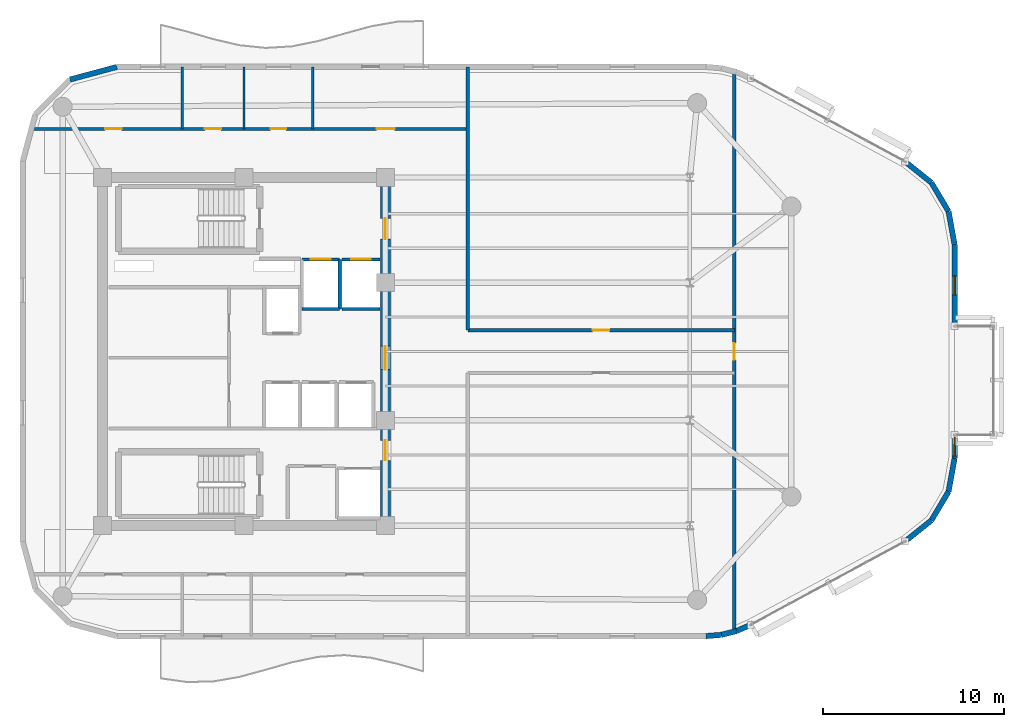
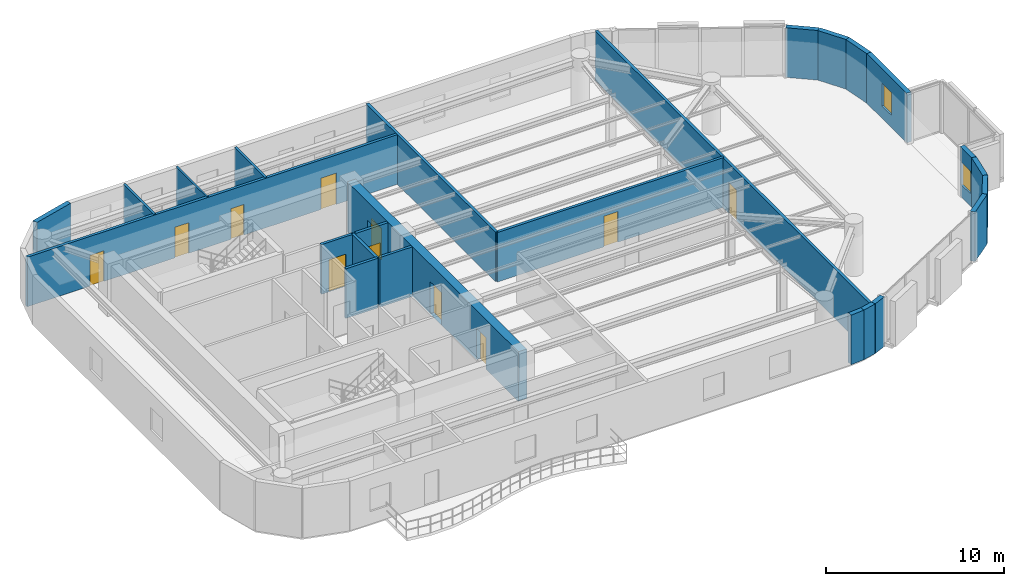
# One storey, part 11 of 14: 25 walls, 11 doors, 2 windows, 13 openings.
"""IFC4 building model written with IfcOpenShell, lengths in metres."""

from ifc_helpers import new_model, si_unit, direction, frame, frame_2d, origin, place, context, subcontext, project, spatial, rectangle, extrude, material, layer, layer_set, type_object, element, fill, save


model = new_model("IFC4")

# Units and contexts
model_context = context("Model", 3, precision=1e-05, world=origin(), true_north=direction((0.0, 1.0)))
body_context = subcontext(model_context, "Body", "Model", "MODEL_VIEW")
ifc_project = project(units=[si_unit("LENGTHUNIT", "METRE"), si_unit("AREAUNIT", "SQUARE_METRE"), si_unit("VOLUMEUNIT", "CUBIC_METRE"), si_unit("PLANEANGLEUNIT", "RADIAN"), si_unit("MASSUNIT", "GRAM", prefix="KILO")], contexts=[model_context])

# Site, building, storey
site_placement = place(None, origin())
site = spatial("IfcSite", under=ifc_project, at=site_placement, CompositionType="ELEMENT")
building_placement = place(site_placement, origin())
building = spatial("IfcBuilding", under=site, at=building_placement, Name="An Khanh Terracotta Commons", CompositionType="ELEMENT")
storey_placement = place(building_placement, frame((0.0, 0.0, 240.89990234375)))
storey = spatial("IfcBuildingStorey", under=building, at=storey_placement, Name="L63", CompositionType="ELEMENT", Elevation=240.89990234375)

# Wall, openings, doors
ifc_material_1 = material(Name="Concrete C50/60", Category="concrete")
ifc_layer_1 = layer(ifc_material_1, 0.550048828125, Name="Concrete C50/60")
ifc_layer_set_1 = layer_set([ifc_layer_1], Name="Concrete C50/60")
wall_type_1 = type_object("IfcWallType", Name="WALL-CORE-550", PredefinedType="SHEAR", material=ifc_layer_set_1)
wall_1_placement = place(storey_placement, frame((37.199951171875, 14.39990234375, 0.0), z_axis=(0.0, 0.0, 1.0), x_axis=(0.0, 1.0, 0.0)))
wall_1 = element("IfcWall", 1, at=wall_1_placement, inside=storey, type_object=wall_type_1, Name="L63 Core Wall CWALL-L63-E", PredefinedType="SHEAR", context=body_context, shape_type="SweptSolid", body=[
    extrude(rectangle(XDim=19.2001953125, YDim=0.550048828125, at=frame_2d((9.60009765625, 0.0))), origin(), (0.0, 0.0, 1.0), 3.400146484375),
])
opening_1_placement = place(wall_1_placement, frame((15.800048828125, 0.0, 0.0)))
opening_1 = element("IfcOpeningElement", 2, at=opening_1_placement, cuts=wall_1, Name="Opening D-FFL", PredefinedType="OPENING", context=body_context, shape_type="SweptSolid", body=[
    extrude(rectangle(XDim=1.14990234375, YDim=2.14990234375, at=frame_2d((0.574951171875, 1.074951171875))), frame((0.0, 0.284912109375, 0.0), z_axis=(0.0, -1.0, 0.0), x_axis=(1.0, 0.0, 0.0)), (0.0, 0.0, 1.0), 0.570068359375),
])
opening_2_placement = place(wall_1_placement, frame((3.60009765625, 0.0, 0.0)))
opening_2 = element("IfcOpeningElement", 3, at=opening_2_placement, cuts=wall_1, Name="Opening D-ST", PredefinedType="OPENING", context=body_context, shape_type="SweptSolid", body=[
    extrude(rectangle(XDim=1.10009765625, YDim=2.14990234375, at=frame_2d((0.550048828125, 1.074951171875))), frame((0.0, 0.284912109375, 0.0), z_axis=(0.0, -1.0, 0.0), x_axis=(1.0, 0.0, 0.0)), (0.0, 0.0, 1.0), 0.570068359375),
])
opening_3_placement = place(wall_1_placement, frame((8.60009765625, 0.0, 0.0)))
opening_3 = element("IfcOpeningElement", 4, at=opening_3_placement, cuts=wall_1, Name="Opening D-COR", PredefinedType="OPENING", context=body_context, shape_type="SweptSolid", body=[
    extrude(rectangle(XDim=1.300048828125, YDim=2.199951171875, at=frame_2d((0.64990234375, 1.10009765625))), frame((0.0, 0.284912109375, 0.0), z_axis=(0.0, -1.0, 0.0), x_axis=(1.0, 0.0, 0.0)), (0.0, 0.0, 1.0), 0.570068359375),
])
ifc_material_2 = material(Name="Fire-Rated Glazed Steel Double Door", Category="steel")
door_type_1 = type_object("IfcDoorType", Name="DOOR-CORR-1300", OperationType="NOTDEFINED", PredefinedType="DOOR", material=ifc_material_2)
door_1_placement = place(opening_3_placement, origin())
door_1 = element("IfcDoor", 5, at=door_1_placement, inside=storey, type_object=door_type_1, Name="L63 Passenger Lift Lobby Double Door", OperationType="DOUBLE_DOOR_SINGLE_SWING", OverallHeight=2.199951171875, OverallWidth=1.300048828125, PredefinedType="DOOR", context=body_context, shape_type="SweptSolid", body=[
    extrude(rectangle(XDim=1.300048828125, YDim=2.199951171875, at=frame_2d((0.64990234375, 1.10009765625))), frame((0.0, 0.02490234375, 0.0), z_axis=(0.0, -1.0, 0.0), x_axis=(1.0, 0.0, 0.0)), (0.0, 0.0, 1.0), 0.050048828125),
])
fill(opening_3, door_1)
ifc_material_3 = material(Name="Fire-Rated Steel Leaf and Vision Panel", Category="steel")
door_type_2 = type_object("IfcDoorType", Name="DOOR-FFL-1150", OperationType="NOTDEFINED", PredefinedType="DOOR", material=ifc_material_3)
door_2_placement = place(opening_1_placement, origin())
door_2 = element("IfcDoor", 6, at=door_2_placement, inside=storey, type_object=door_type_2, Name="L63 Firefighting Lift Lobby Fire Door", OperationType="SINGLE_SWING_LEFT", OverallHeight=2.14990234375, OverallWidth=1.14990234375, PredefinedType="DOOR", context=body_context, shape_type="SweptSolid", body=[
    extrude(rectangle(XDim=1.14990234375, YDim=2.14990234375, at=frame_2d((0.574951171875, 1.074951171875))), frame((0.0, 0.02490234375, 0.0), z_axis=(0.0, -1.0, 0.0), x_axis=(1.0, 0.0, 0.0)), (0.0, 0.0, 1.0), 0.050048828125),
])
fill(opening_1, door_2)
ifc_material_4 = material(Name="Fire-Rated Steel Leaf and Frame", Category="steel")
door_type_3 = type_object("IfcDoorType", Name="DOOR-STAIR-1100", OperationType="NOTDEFINED", PredefinedType="DOOR", material=ifc_material_4)
door_3_placement = place(opening_2_placement, origin())
door_3 = element("IfcDoor", 7, at=door_3_placement, inside=storey, type_object=door_type_3, Name="L63 South Stair Lobby Fire Door", OperationType="SINGLE_SWING_RIGHT", OverallHeight=2.14990234375, OverallWidth=1.10009765625, PredefinedType="DOOR", context=body_context, shape_type="SweptSolid", body=[
    extrude(rectangle(XDim=1.10009765625, YDim=2.14990234375, at=frame_2d((0.550048828125, 1.074951171875))), frame((0.0, 0.02490234375, 0.0), z_axis=(0.0, -1.0, 0.0), x_axis=(1.0, 0.0, 0.0)), (0.0, 0.0, 1.0), 0.050048828125),
])
fill(opening_2, door_3)

# Wall, opening, door
ifc_material_5 = material(Name="Fire-Rated Gypsum Board on Steel Stud", Category="steel")
ifc_layer_2 = layer(ifc_material_5, 0.179931640625, Name="Fire-Rated Gypsum Board on Steel Stud")
ifc_layer_set_2 = layer_set([ifc_layer_2], Name="Fire-Rated Gypsum Board on Steel Stud")
wall_type_2 = type_object("IfcWallType", Name="WALL-CORR-180", PredefinedType="PARTITIONING", material=ifc_layer_set_2)
wall_2_placement = place(storey_placement, frame((32.60009765625, 29.080078125, 0.0), z_axis=(0.0, 0.0, 1.0), x_axis=(1.0, 0.0, 0.0)))
wall_2 = element("IfcWall", 8, at=wall_2_placement, inside=storey, type_object=wall_type_2, Name="L63 Core Wall LSH-L63-FFL-01-N", PredefinedType="PARTITIONING", context=body_context, shape_type="SweptSolid", body=[
    extrude(rectangle(XDim=2.079833984375, YDim=0.179931640625, at=frame_2d((1.0400390625, 0.0))), origin(), (0.0, 0.0, 1.0), 3.400146484375),
])
opening_4_placement = place(wall_2_placement, frame((0.489990234375, 0.0, 0.0)))
opening_4 = element("IfcOpeningElement", 9, at=opening_4_placement, cuts=wall_2, Name="Opening LD-FFL-01-L63", PredefinedType="OPENING", context=body_context, shape_type="SweptSolid", body=[
    extrude(rectangle(XDim=1.10009765625, YDim=2.199951171875, at=frame_2d((0.550048828125, 1.10009765625))), frame((0.0, 0.099853515625, 0.0), z_axis=(0.0, -1.0, 0.0), x_axis=(1.0, 0.0, 0.0)), (0.0, 0.0, 1.0), 0.199951171875),
])
ifc_material_6 = material(Name="Brushed Stainless Steel Fire Landing Door", Category="steel")
door_type_4 = type_object("IfcDoorType", Name="DOOR-LD-FFL-1100", OperationType="NOTDEFINED", PredefinedType="DOOR", material=ifc_material_6)
door_4_placement = place(opening_4_placement, origin())
door_4 = element("IfcDoor", 10, at=door_4_placement, inside=storey, type_object=door_type_4, Name="L63 Lift FFL-01 Sliding Landing Door", OperationType="DOUBLE_DOOR_SLIDING", OverallHeight=2.199951171875, OverallWidth=1.10009765625, PredefinedType="DOOR", context=body_context, shape_type="SweptSolid", body=[
    extrude(rectangle(XDim=1.10009765625, YDim=2.199951171875, at=frame_2d((0.550048828125, 1.10009765625))), frame((0.0, 0.02490234375, 0.0), z_axis=(0.0, -1.0, 0.0), x_axis=(1.0, 0.0, 0.0)), (0.0, 0.0, 1.0), 0.050048828125),
])
fill(opening_4, door_4)

# Walls
wall_3_placement = place(storey_placement, frame((34.679931640625, 26.35009765625, 0.0), z_axis=(0.0, 0.0, 1.0), x_axis=(-1.0, 0.0, 0.0)))
element("IfcWall", 11, at=wall_3_placement, inside=storey, type_object=wall_type_2, Name="L63 Core Wall LSH-L63-FFL-01-S", PredefinedType="PARTITIONING", context=body_context, shape_type="SweptSolid", body=[
    extrude(rectangle(XDim=2.079833984375, YDim=0.179931640625, at=frame_2d((1.0400390625, 0.0))), origin(), (0.0, 0.0, 1.0), 3.400146484375),
])
wall_4_placement = place(storey_placement, frame((34.679931640625, 26.35009765625, 0.0), z_axis=(0.0, 0.0, 1.0), x_axis=(0.0, 1.0, 0.0)))
element("IfcWall", 12, at=wall_4_placement, inside=storey, type_object=wall_type_2, Name="L63 Core Wall LSH-L63-FFL-01-E", PredefinedType="PARTITIONING", context=body_context, shape_type="SweptSolid", body=[
    extrude(rectangle(XDim=2.72998046875, YDim=0.179931640625, at=frame_2d((1.364990234375, 0.0))), origin(), (0.0, 0.0, 1.0), 3.400146484375),
])

# Wall, opening, door
wall_5_placement = place(storey_placement, frame((34.820068359375, 29.080078125, 0.0), z_axis=(0.0, 0.0, 1.0), x_axis=(1.0, 0.0, 0.0)))
wall_5 = element("IfcWall", 13, at=wall_5_placement, inside=storey, type_object=wall_type_2, Name="L63 Core Wall LSH-L63-FFL-02-N", PredefinedType="PARTITIONING", context=body_context, shape_type="SweptSolid", body=[
    extrude(rectangle(XDim=2.079833984375, YDim=0.179931640625, at=frame_2d((1.0400390625, 0.0))), origin(), (0.0, 0.0, 1.0), 3.400146484375),
])
opening_5_placement = place(wall_5_placement, frame((0.489990234375, 0.0, 0.0)))
opening_5 = element("IfcOpeningElement", 14, at=opening_5_placement, cuts=wall_5, Name="Opening LD-FFL-02-L63", PredefinedType="OPENING", context=body_context, shape_type="SweptSolid", body=[
    extrude(rectangle(XDim=1.10009765625, YDim=2.199951171875, at=frame_2d((0.550048828125, 1.10009765625))), frame((0.0, 0.099853515625, 0.0), z_axis=(0.0, -1.0, 0.0), x_axis=(1.0, 0.0, 0.0)), (0.0, 0.0, 1.0), 0.199951171875),
])
door_5_placement = place(opening_5_placement, origin())
door_5 = element("IfcDoor", 15, at=door_5_placement, inside=storey, type_object=door_type_4, Name="L63 Lift FFL-02 Sliding Landing Door", OperationType="DOUBLE_DOOR_SLIDING", OverallHeight=2.199951171875, OverallWidth=1.10009765625, PredefinedType="DOOR", context=body_context, shape_type="SweptSolid", body=[
    extrude(rectangle(XDim=1.10009765625, YDim=2.199951171875, at=frame_2d((0.550048828125, 1.10009765625))), frame((0.0, 0.02490234375, 0.0), z_axis=(0.0, -1.0, 0.0), x_axis=(1.0, 0.0, 0.0)), (0.0, 0.0, 1.0), 0.050048828125),
])
fill(opening_5, door_5)

# Wall
wall_6_placement = place(storey_placement, frame((36.89990234375, 26.35009765625, 0.0), z_axis=(0.0, 0.0, 1.0), x_axis=(-1.0, 0.0, 0.0)))
element("IfcWall", 16, at=wall_6_placement, inside=storey, type_object=wall_type_2, Name="L63 Core Wall LSH-L63-FFL-02-S", PredefinedType="PARTITIONING", context=body_context, shape_type="SweptSolid", body=[
    extrude(rectangle(XDim=2.079833984375, YDim=0.179931640625, at=frame_2d((1.0400390625, 0.0))), origin(), (0.0, 0.0, 1.0), 3.400146484375),
])

# Wall, opening, door
wall_7_placement = place(storey_placement, frame((41.75, 25.179931640625, 0.0), z_axis=(0.0, 0.0, 1.0), x_axis=(1.0, 0.0, 0.0)))
wall_7 = element("IfcWall", 17, at=wall_7_placement, inside=storey, type_object=wall_type_2, Name="L63 Interior Partition IW-L63-E003", PredefinedType="PARTITIONING", context=body_context, shape_type="SweptSolid", body=[
    extrude(rectangle(XDim=14.699951171875, YDim=0.179931640625, at=frame_2d((7.35009765625, 0.0))), origin(), (0.0, 0.0, 1.0), 3.400146484375),
])
opening_6_placement = place(wall_7_placement, frame((6.889892578125, 0.0, 0.0)))
opening_6 = element("IfcOpeningElement", 18, at=opening_6_placement, cuts=wall_7, Name="Opening D-RM", PredefinedType="OPENING", context=body_context, shape_type="SweptSolid", body=[
    extrude(rectangle(XDim=0.919921875, YDim=2.10009765625, at=frame_2d((0.4599609375, 1.050048828125))), frame((0.0, 0.099853515625, 0.0), z_axis=(0.0, -1.0, 0.0), x_axis=(1.0, 0.0, 0.0)), (0.0, 0.0, 1.0), 0.199951171875),
])
ifc_material_7 = material(Name="Engineered Hardwood Timber Leaf", Category="wood")
door_type_5 = type_object("IfcDoorType", Name="DOOR-INT-920", OperationType="NOTDEFINED", PredefinedType="DOOR", material=ifc_material_7)
door_6_placement = place(opening_6_placement, origin())
door_6 = element("IfcDoor", 19, at=door_6_placement, inside=storey, type_object=door_type_5, Name="L63 SPN1 Collaborative Study Lounge Door", OperationType="SINGLE_SWING_LEFT", OverallHeight=2.10009765625, OverallWidth=0.919921875, PredefinedType="DOOR", context=body_context, shape_type="SweptSolid", body=[
    extrude(rectangle(XDim=0.919921875, YDim=2.10009765625, at=frame_2d((0.4599609375, 1.050048828125))), frame((0.0, 0.02490234375, 0.0), z_axis=(0.0, -1.0, 0.0), x_axis=(1.0, 0.0, 0.0)), (0.0, 0.0, 1.0), 0.050048828125),
])
fill(opening_6, door_6)

# Wall, openings, doors
wall_8_placement = place(storey_placement, frame((17.677001953125, 36.280029296875, 0.0), z_axis=(0.0, 0.0, 1.0), x_axis=(1.0, 0.0, 0.0)))
wall_8 = element("IfcWall", 20, at=wall_8_placement, inside=storey, type_object=wall_type_2, Name="L63 Interior Partition IW-L63-E004", PredefinedType="PARTITIONING", context=body_context, shape_type="SweptSolid", body=[
    extrude(rectangle(XDim=24.072998046875, YDim=0.179931640625, at=frame_2d((12.03662109375, 0.0))), origin(), (0.0, 0.0, 1.0), 3.400146484375),
])
opening_7_placement = place(wall_8_placement, frame((9.572998046875, 0.0, 0.0)))
opening_7 = element("IfcOpeningElement", 21, at=opening_7_placement, cuts=wall_8, Name="Opening D-WC", PredefinedType="OPENING", context=body_context, shape_type="SweptSolid", body=[
    extrude(rectangle(XDim=0.89990234375, YDim=2.10009765625, at=frame_2d((0.449951171875, 1.050048828125))), frame((0.0, 0.099853515625, 0.0), z_axis=(0.0, -1.0, 0.0), x_axis=(1.0, 0.0, 0.0)), (0.0, 0.0, 1.0), 0.199951171875),
])
opening_8_placement = place(wall_8_placement, frame((13.193115234375, 0.0, 0.0)))
opening_8 = element("IfcOpeningElement", 22, at=opening_8_placement, cuts=wall_8, Name="Opening D-ENS", PredefinedType="OPENING", context=body_context, shape_type="SweptSolid", body=[
    extrude(rectangle(XDim=0.860107421875, YDim=2.10009765625, at=frame_2d((0.43017578125, 1.050048828125))), frame((0.0, 0.099853515625, 0.0), z_axis=(0.0, -1.0, 0.0), x_axis=(1.0, 0.0, 0.0)), (0.0, 0.0, 1.0), 0.199951171875),
])
opening_9_placement = place(wall_8_placement, frame((4.06298828125, 0.0, 0.0)))
opening_9 = element("IfcOpeningElement", 23, at=opening_9_placement, cuts=wall_8, Name="Opening D-RM", PredefinedType="OPENING", context=body_context, shape_type="SweptSolid", body=[
    extrude(rectangle(XDim=0.919921875, YDim=2.10009765625, at=frame_2d((0.4599609375, 1.050048828125))), frame((0.0, 0.099853515625, 0.0), z_axis=(0.0, -1.0, 0.0), x_axis=(1.0, 0.0, 0.0)), (0.0, 0.0, 1.0), 0.199951171875),
])
opening_10_placement = place(wall_8_placement, frame((19.0380859375, 0.0, 0.0)))
opening_10 = element("IfcOpeningElement", 24, at=opening_10_placement, cuts=wall_8, Name="Opening D-UN", PredefinedType="OPENING", context=body_context, shape_type="SweptSolid", body=[
    extrude(rectangle(XDim=1.0, YDim=2.14990234375, at=frame_2d((0.5, 1.074951171875))), frame((0.0, 0.099853515625, 0.0), z_axis=(0.0, -1.0, 0.0), x_axis=(1.0, 0.0, 0.0)), (0.0, 0.0, 1.0), 0.199951171875),
])
ifc_material_8 = material(Name="Moisture-Resistant Hardwood Timber Leaf", Category="wood")
door_type_6 = type_object("IfcDoorType", Name="DOOR-BATH-860", OperationType="NOTDEFINED", PredefinedType="DOOR", material=ifc_material_8)
door_7_placement = place(opening_8_placement, origin())
door_7 = element("IfcDoor", 25, at=door_7_placement, inside=storey, type_object=door_type_6, Name="L63 SHW Resident Shared Shower and Washroom Door", OperationType="SINGLE_SWING_LEFT", OverallHeight=2.10009765625, OverallWidth=0.860107421875, PredefinedType="DOOR", context=body_context, shape_type="SweptSolid", body=[
    extrude(rectangle(XDim=0.860107421875, YDim=2.10009765625, at=frame_2d((0.43017578125, 1.050048828125))), frame((0.0, 0.02490234375, 0.0), z_axis=(0.0, -1.0, 0.0), x_axis=(1.0, 0.0, 0.0)), (0.0, 0.0, 1.0), 0.050048828125),
])
fill(opening_8, door_7)
door_8_placement = place(opening_9_placement, origin())
door_8 = element("IfcDoor", 26, at=door_8_placement, inside=storey, type_object=door_type_5, Name="L63 NW1 Student Reading Library Door", OperationType="SINGLE_SWING_RIGHT", OverallHeight=2.10009765625, OverallWidth=0.919921875, PredefinedType="DOOR", context=body_context, shape_type="SweptSolid", body=[
    extrude(rectangle(XDim=0.919921875, YDim=2.10009765625, at=frame_2d((0.4599609375, 1.050048828125))), frame((0.0, 0.02490234375, 0.0), z_axis=(0.0, -1.0, 0.0), x_axis=(1.0, 0.0, 0.0)), (0.0, 0.0, 1.0), 0.050048828125),
])
fill(opening_9, door_8)
ifc_material_9 = material(Name="Solid-Core Hardwood Acoustic Fire Door", Category="wood")
door_type_7 = type_object("IfcDoorType", Name="DOOR-UNIT-1000", OperationType="NOTDEFINED", PredefinedType="DOOR", material=ifc_material_9)
door_9_placement = place(opening_10_placement, origin())
door_9 = element("IfcDoor", 27, at=door_9_placement, inside=storey, type_object=door_type_7, Name="L63 NWE Yoga Wellness Studio Door", OperationType="SINGLE_SWING_LEFT", OverallHeight=2.14990234375, OverallWidth=1.0, PredefinedType="DOOR", context=body_context, shape_type="SweptSolid", body=[
    extrude(rectangle(XDim=1.0, YDim=2.14990234375, at=frame_2d((0.5, 1.074951171875))), frame((0.0, 0.02490234375, 0.0), z_axis=(0.0, -1.0, 0.0), x_axis=(1.0, 0.0, 0.0)), (0.0, 0.0, 1.0), 0.050048828125),
])
fill(opening_10, door_9)
ifc_material_10 = material(Name="Laminate Moisture-Resistant Timber Leaf", Category="wood")
door_type_8 = type_object("IfcDoorType", Name="DOOR-WC-900", OperationType="NOTDEFINED", PredefinedType="DOOR", material=ifc_material_10)
door_10_placement = place(opening_7_placement, origin())
door_10 = element("IfcDoor", 28, at=door_10_placement, inside=storey, type_object=door_type_8, Name="L63 AWC Accessible WC Door", OperationType="SINGLE_SWING_RIGHT", OverallHeight=2.10009765625, OverallWidth=0.89990234375, PredefinedType="DOOR", context=body_context, shape_type="SweptSolid", body=[
    extrude(rectangle(XDim=0.89990234375, YDim=2.10009765625, at=frame_2d((0.449951171875, 1.050048828125))), frame((0.0, 0.02490234375, 0.0), z_axis=(0.0, -1.0, 0.0), x_axis=(1.0, 0.0, 0.0)), (0.0, 0.0, 1.0), 0.050048828125),
])
fill(opening_7, door_10)

# Wall
wall_9_placement = place(storey_placement, frame((41.75, 25.179931640625, 0.0), z_axis=(0.0, 0.0, 1.0), x_axis=(0.0, 1.0, 0.0)))
element("IfcWall", 29, at=wall_9_placement, inside=storey, type_object=wall_type_2, Name="L63 Interior Partition IW-L63-E011", PredefinedType="PARTITIONING", context=body_context, shape_type="SweptSolid", body=[
    extrude(rectangle(XDim=14.52001953125, YDim=0.179931640625, at=frame_2d((7.260009765625, 0.0))), origin(), (0.0, 0.0, 1.0), 3.400146484375),
])

# Wall, opening, door
wall_10_placement = place(storey_placement, frame((56.449951171875, 8.550048828125, 0.0), z_axis=(0.0, 0.0, 1.0), x_axis=(0.0, 1.0, 0.0)))
wall_10 = element("IfcWall", 30, at=wall_10_placement, inside=storey, type_object=wall_type_2, Name="L63 Interior Partition IW-L63-E012", PredefinedType="PARTITIONING", context=body_context, shape_type="SweptSolid", body=[
    extrude(rectangle(XDim=30.89990234375, YDim=0.179931640625, at=frame_2d((15.449951171875, 0.0))), origin(), (0.0, 0.0, 1.0), 3.400146484375),
])
opening_11_placement = place(wall_10_placement, frame((14.989990234375, 0.0, 0.0)))
opening_11 = element("IfcOpeningElement", 31, at=opening_11_placement, cuts=wall_10, Name="Opening D-RM", PredefinedType="OPENING", context=body_context, shape_type="SweptSolid", body=[
    extrude(rectangle(XDim=0.919921875, YDim=2.10009765625, at=frame_2d((0.4599609375, 1.050048828125))), frame((0.0, 0.099853515625, 0.0), z_axis=(0.0, -1.0, 0.0), x_axis=(1.0, 0.0, 0.0)), (0.0, 0.0, 1.0), 0.199951171875),
])
door_11_placement = place(opening_11_placement, origin())
door_11 = element("IfcDoor", 32, at=door_11_placement, inside=storey, type_object=door_type_5, Name="L63 GHALL Riverfront Reference Library Door", OperationType="SINGLE_SWING_LEFT", OverallHeight=2.10009765625, OverallWidth=0.919921875, PredefinedType="DOOR", context=body_context, shape_type="SweptSolid", body=[
    extrude(rectangle(XDim=0.919921875, YDim=2.10009765625, at=frame_2d((0.4599609375, 1.050048828125))), frame((0.0, 0.02490234375, 0.0), z_axis=(0.0, -1.0, 0.0), x_axis=(1.0, 0.0, 0.0)), (0.0, 0.0, 1.0), 0.050048828125),
])
fill(opening_11, door_11)

# Walls
ifc_material_11 = material(Name="Precast concrete C40/50", Category="concrete")
ifc_layer_3 = layer(ifc_material_11, 0.300048828125, Name="Precast concrete C40/50")
ifc_layer_set_3 = layer_set([ifc_layer_3], Name="Precast concrete C40/50")
wall_type_3 = type_object("IfcWallType", Name="WALL-EXT-300", PredefinedType="SOLIDWALL", material=ifc_layer_set_3)
wall_11_placement = place(storey_placement, frame((54.885009765625, 8.300048828125, 0.0), z_axis=(0.0, 0.0, 1.0), x_axis=(0.996565355958, 0.082809971041, 0.0)))
element("IfcWall", 33, at=wall_11_placement, inside=storey, type_object=wall_type_3, Name="L63 Insulated Terracotta Exterior Wall 5", PredefinedType="SOLIDWALL", context=body_context, shape_type="SweptSolid", body=[
    extrude(rectangle(XDim=0.85791015625, YDim=0.300048828125, at=frame_2d((0.428955078125, 0.0))), origin(), (0.0, 0.0, 1.0), 3.400146484375),
])
wall_12_placement = place(storey_placement, frame((55.739990234375, 8.37109375, 0.0), z_axis=(0.0, 0.0, 1.0), x_axis=(0.969536346338, 0.244947490555, 0.0)))
element("IfcWall", 34, at=wall_12_placement, inside=storey, type_object=wall_type_3, Name="L63 Insulated Terracotta Exterior Wall 6", PredefinedType="SOLIDWALL", context=body_context, shape_type="SweptSolid", body=[
    extrude(rectangle(XDim=0.857177734375, YDim=0.300048828125, at=frame_2d((0.4287109375, 0.0))), origin(), (0.0, 0.0, 1.0), 3.400146484375),
])
wall_13_placement = place(storey_placement, frame((56.571044921875, 8.5810546875, 0.0), z_axis=(0.0, 0.0, 1.0), x_axis=(0.916085473636, 0.400983048261, 0.0)))
element("IfcWall", 35, at=wall_13_placement, inside=storey, type_object=wall_type_3, Name="L63 Insulated Terracotta Exterior Wall 7", PredefinedType="SOLIDWALL", context=body_context, shape_type="SweptSolid", body=[
    extrude(rectangle(XDim=0.85791015625, YDim=0.300048828125, at=frame_2d((0.428955078125, 0.0))), origin(), (0.0, 0.0, 1.0), 3.400146484375),
])
wall_14_placement = place(storey_placement, frame((65.8720703125, 13.52587890625, 0.0), z_axis=(0.0, 0.0, 1.0), x_axis=(0.780920189257, 0.624630817372, 0.0)))
element("IfcWall", 36, at=wall_14_placement, inside=storey, type_object=wall_type_3, Name="L63 Insulated Terracotta Exterior Wall 9", PredefinedType="SOLIDWALL", context=body_context, shape_type="SweptSolid", body=[
    extrude(rectangle(XDim=1.854248046875, YDim=0.300048828125, at=frame_2d((0.92724609375, 0.0))), origin(), (0.0, 0.0, 1.0), 3.400146484375),
])
wall_15_placement = place(storey_placement, frame((67.320068359375, 14.68408203125, 0.0), z_axis=(0.0, 0.0, 1.0), x_axis=(0.512072018927, 0.858942516955, 0.0)))
element("IfcWall", 37, at=wall_15_placement, inside=storey, type_object=wall_type_3, Name="L63 Insulated Terracotta Exterior Wall 10", PredefinedType="SOLIDWALL", context=body_context, shape_type="SweptSolid", body=[
    extrude(rectangle(XDim=1.853271484375, YDim=0.300048828125, at=frame_2d((0.9267578125, 0.0))), origin(), (0.0, 0.0, 1.0), 3.400146484375),
])
wall_16_placement = place(storey_placement, frame((68.26904296875, 16.27587890625, 0.0), z_axis=(0.0, 0.0, 1.0), x_axis=(0.178468469252, 0.983945631365, 0.0)))
element("IfcWall", 38, at=wall_16_placement, inside=storey, type_object=wall_type_3, Name="L63 Insulated Terracotta Exterior Wall 11", PredefinedType="SOLIDWALL", context=body_context, shape_type="SweptSolid", body=[
    extrude(rectangle(XDim=1.85498046875, YDim=0.300048828125, at=frame_2d((0.927490234375, 0.0))), origin(), (0.0, 0.0, 1.0), 3.400146484375),
])

# Wall, opening, window
wall_17_placement = place(storey_placement, frame((68.60009765625, 18.10107421875, 0.0), z_axis=(0.0, 0.0, 1.0), x_axis=(0.0, 1.0, 0.0)))
wall_17 = element("IfcWall", 39, at=wall_17_placement, inside=storey, type_object=wall_type_3, Name="L63 East Nose Wall South", PredefinedType="SOLIDWALL", context=body_context, shape_type="SweptSolid", body=[
    extrude(rectangle(XDim=1.298828125, YDim=0.300048828125, at=frame_2d((0.6494140625, 0.0))), origin(), (0.0, 0.0, 1.0), 3.400146484375),
])
opening_12_placement = place(wall_17_placement, frame((0.1240234375, 0.0, 0.85009765625)))
opening_12 = element("IfcOpeningElement", 40, at=opening_12_placement, cuts=wall_17, Name="Opening W-06", PredefinedType="OPENING", context=body_context, shape_type="SweptSolid", body=[
    extrude(rectangle(XDim=1.050048828125, YDim=1.550048828125, at=frame_2d((0.52490234375, 0.77490234375))), frame((0.0, 0.159912109375, 0.0), z_axis=(0.0, -1.0, 0.0), x_axis=(1.0, 0.0, 0.0)), (0.0, 0.0, 1.0), 0.320068359375),
])
ifc_material_12 = material(Name="Thermally Broken Aluminium and Low-E Glass", Category="aluminium")
window_type = type_object("IfcWindowType", Name="WIN-COR-1050x1550", PartitioningType="SINGLE_PANEL", PredefinedType="WINDOW", material=ifc_material_12)
window_1_placement = place(opening_12_placement, origin())
window_1 = element("IfcWindow", 41, at=window_1_placement, inside=storey, type_object=window_type, Name="L63 East Nose South Casement Window", OverallHeight=1.550048828125, OverallWidth=1.050048828125, PartitioningType="SINGLE_PANEL", PredefinedType="WINDOW", context=body_context, shape_type="SweptSolid", body=[
    extrude(rectangle(XDim=1.050048828125, YDim=1.550048828125, at=frame_2d((0.52490234375, 0.77490234375))), frame((0.0, 0.030029296875, 0.0), z_axis=(0.0, -1.0, 0.0), x_axis=(1.0, 0.0, 0.0)), (0.0, 0.0, 1.0), 0.06005859375),
])
fill(opening_12, window_1)

wall_18_placement = place(storey_placement, frame((68.60009765625, 25.39990234375, 0.0), z_axis=(0.0, 0.0, 1.0), x_axis=(0.0, 1.0, 0.0)))
wall_18 = element("IfcWall", 42, at=wall_18_placement, inside=storey, type_object=wall_type_3, Name="L63 East Nose Wall North", PredefinedType="SOLIDWALL", context=body_context, shape_type="SweptSolid", body=[
    extrude(rectangle(XDim=4.4990234375, YDim=0.300048828125, at=frame_2d((2.24951171875, 0.0))), origin(), (0.0, 0.0, 1.0), 3.400146484375),
])
opening_13_placement = place(wall_18_placement, frame((1.72509765625, 0.0, 0.85009765625)))
opening_13 = element("IfcOpeningElement", 43, at=opening_13_placement, cuts=wall_18, Name="Opening W-06", PredefinedType="OPENING", context=body_context, shape_type="SweptSolid", body=[
    extrude(rectangle(XDim=1.050048828125, YDim=1.550048828125, at=frame_2d((0.52490234375, 0.77490234375))), frame((0.0, 0.159912109375, 0.0), z_axis=(0.0, -1.0, 0.0), x_axis=(1.0, 0.0, 0.0)), (0.0, 0.0, 1.0), 0.320068359375),
])
window_2_placement = place(opening_13_placement, origin())
window_2 = element("IfcWindow", 44, at=window_2_placement, inside=storey, type_object=window_type, Name="L63 East Nose North Casement Window", OverallHeight=1.550048828125, OverallWidth=1.050048828125, PartitioningType="SINGLE_PANEL", PredefinedType="WINDOW", context=body_context, shape_type="SweptSolid", body=[
    extrude(rectangle(XDim=1.050048828125, YDim=1.550048828125, at=frame_2d((0.52490234375, 0.77490234375))), frame((0.0, 0.030029296875, 0.0), z_axis=(0.0, -1.0, 0.0), x_axis=(1.0, 0.0, 0.0)), (0.0, 0.0, 1.0), 0.06005859375),
])
fill(opening_13, window_2)

# Walls
wall_19_placement = place(storey_placement, frame((68.60009765625, 29.89892578125, 0.0), z_axis=(0.0, 0.0, 1.0), x_axis=(-0.178468469252, 0.983945631365, 0.0)))
element("IfcWall", 45, at=wall_19_placement, inside=storey, type_object=wall_type_3, Name="L63 Insulated Terracotta Exterior Wall 13", PredefinedType="SOLIDWALL", context=body_context, shape_type="SweptSolid", body=[
    extrude(rectangle(XDim=1.85498046875, YDim=0.300048828125, at=frame_2d((0.927490234375, 0.0))), origin(), (0.0, 0.0, 1.0), 3.400146484375),
])
wall_20_placement = place(storey_placement, frame((68.26904296875, 31.72412109375, 0.0), z_axis=(0.0, 0.0, 1.0), x_axis=(-0.512072018927, 0.858942516955, 0.0)))
element("IfcWall", 46, at=wall_20_placement, inside=storey, type_object=wall_type_3, Name="L63 Insulated Terracotta Exterior Wall 14", PredefinedType="SOLIDWALL", context=body_context, shape_type="SweptSolid", body=[
    extrude(rectangle(XDim=1.853271484375, YDim=0.300048828125, at=frame_2d((0.9267578125, 0.0))), origin(), (0.0, 0.0, 1.0), 3.400146484375),
])
wall_21_placement = place(storey_placement, frame((67.320068359375, 33.31591796875, 0.0), z_axis=(0.0, 0.0, 1.0), x_axis=(-0.780920189257, 0.624630817372, 0.0)))
element("IfcWall", 47, at=wall_21_placement, inside=storey, type_object=wall_type_3, Name="L63 Insulated Terracotta Exterior Wall 15", PredefinedType="SOLIDWALL", context=body_context, shape_type="SweptSolid", body=[
    extrude(rectangle(XDim=1.854248046875, YDim=0.300048828125, at=frame_2d((0.92724609375, 0.0))), origin(), (0.0, 0.0, 1.0), 3.400146484375),
])
wall_22_placement = place(storey_placement, frame((22.39990234375, 39.699951171875, 0.0), z_axis=(0.0, 0.0, 1.0), x_axis=(-0.965889330541, -0.258955210695, 0.0)))
element("IfcWall", 48, at=wall_22_placement, inside=storey, type_object=wall_type_3, Name="L63 Insulated Terracotta Exterior Wall 21", PredefinedType="SOLIDWALL", context=body_context, shape_type="SweptSolid", body=[
    extrude(rectangle(XDim=2.691650390625, YDim=0.300048828125, at=frame_2d((1.345703125, 0.0))), origin(), (0.0, 0.0, 1.0), 3.400146484375),
])
ifc_material_13 = material(Name="Acoustic Gypsum Board Partition")
ifc_layer_4 = layer(ifc_material_13, 0.14990234375, Name="Acoustic Gypsum Board Partition")
ifc_layer_set_4 = layer_set([ifc_layer_4], Name="Acoustic Gypsum Board Partition")
wall_type_4 = type_object("IfcWallType", Name="WALL-PART-150", PredefinedType="PARTITIONING", material=ifc_layer_set_4)
for number, where, z_axis, x_axis, name in (
    (49, (26.0, 36.280029296875, 0.0), (0.0, 0.0, 1.0), (0.0, 1.0, 0.0), "L63 Interior Partition IW-L63-E006"),
    (50, (33.199951171875, 36.280029296875, 0.0), (0.0, 0.0, 1.0), (0.0, 1.0, 0.0), "L63 Interior Partition IW-L63-E009"),
):
    element("IfcWall", number, at=place(storey_placement, frame(where, z_axis=z_axis, x_axis=x_axis)), inside=storey, type_object=wall_type_4, Name=name, PredefinedType="PARTITIONING", context=body_context, shape_type="SweptSolid", body=[
        extrude(rectangle(XDim=3.419921875, YDim=0.14990234375, at=frame_2d((1.7099609375, 0.0))), origin(), (0.0, 0.0, 1.0), 3.400146484375),
    ])
ifc_material_14 = material(Name="Moisture-Resistant Cement Board Partition")
ifc_layer_5 = layer(ifc_material_14, 0.1201171875, Name="Moisture-Resistant Cement Board Partition")
ifc_layer_set_5 = layer_set([ifc_layer_5], Name="Moisture-Resistant Cement Board Partition")
wall_type_5 = type_object("IfcWallType", Name="WALL-WET-120", PredefinedType="PARTITIONING", material=ifc_layer_set_5)
wall_23_placement = place(storey_placement, frame((29.39990234375, 36.280029296875, 0.0), z_axis=(0.0, 0.0, 1.0), x_axis=(0.0, 1.0, 0.0)))
element("IfcWall", 51, at=wall_23_placement, inside=storey, type_object=wall_type_5, Name="L63 Interior Partition IW-L63-E007", PredefinedType="PARTITIONING", context=body_context, shape_type="SweptSolid", body=[
    extrude(rectangle(XDim=3.419921875, YDim=0.1201171875, at=frame_2d((1.7099609375, 0.0))), origin(), (0.0, 0.0, 1.0), 3.400146484375),
])

save(model, "model.ifc")
